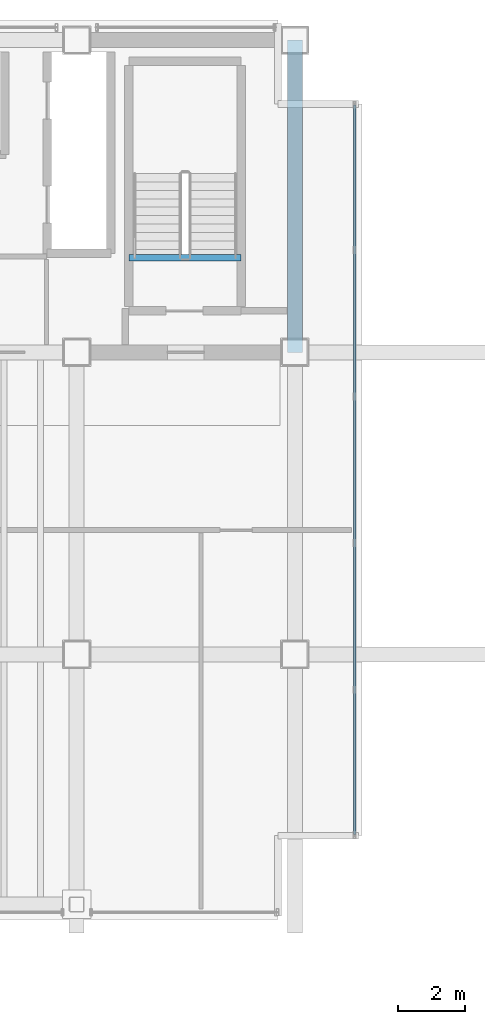
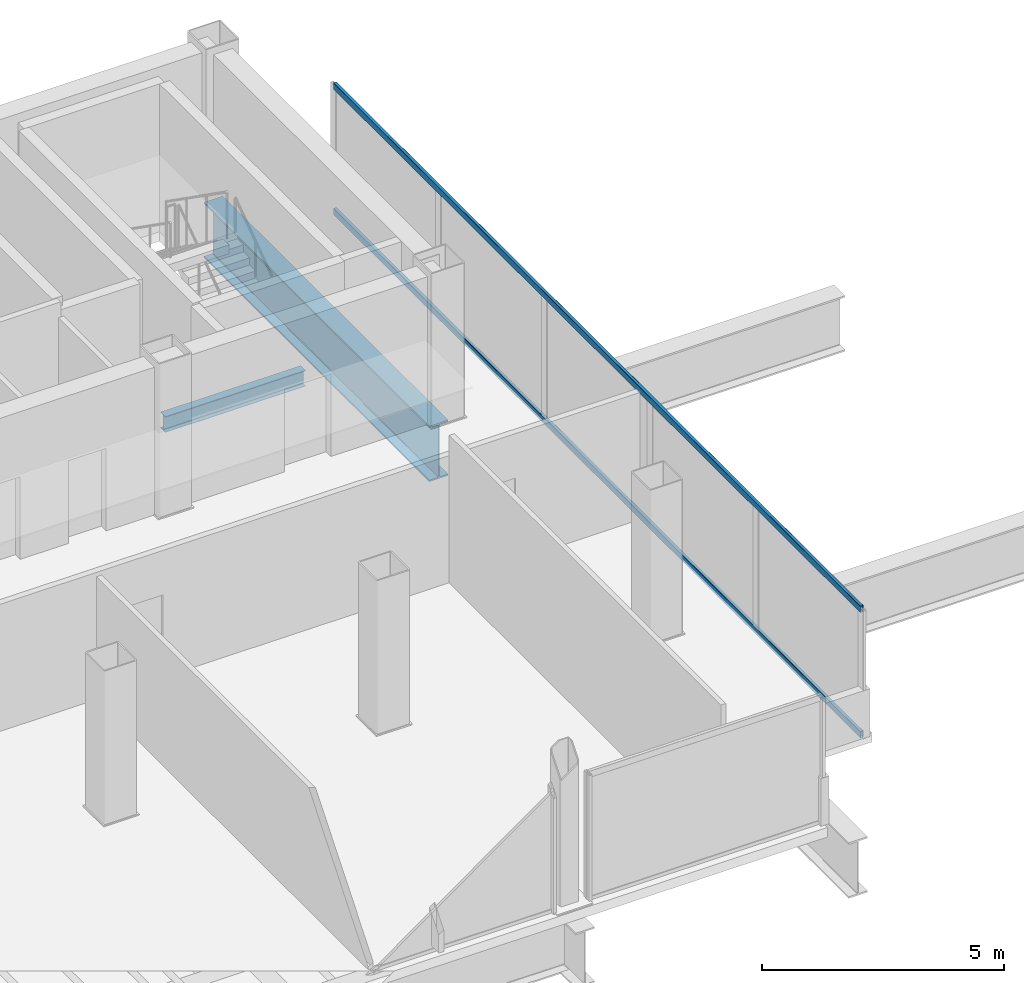
# One storey, part 16 of 22: 2 beams, 2 members, 1 element without a shape of its own.
"""IFC4 building model written with IfcOpenShell, lengths in metres."""

from ifc_helpers import new_model, si_unit, direction, frame, origin, origin_2d, place, context, subcontext, project, spatial, hollow_rectangle, i_section, extrude, material, material_profile, profile_set, type_object, element, aggregate, save


model = new_model("IFC4")

# Units and contexts
model_context = context("Model", 3, precision=1e-05, world=origin(), true_north=direction((0.0, 1.0)))
body_context = subcontext(model_context, "Body", "Model", "MODEL_VIEW")
ifc_project = project(units=[si_unit("LENGTHUNIT", "METRE"), si_unit("AREAUNIT", "SQUARE_METRE"), si_unit("VOLUMEUNIT", "CUBIC_METRE"), si_unit("PLANEANGLEUNIT", "RADIAN"), si_unit("MASSUNIT", "GRAM", prefix="KILO")], contexts=[model_context])

# Site, building, storey
site_placement = place(None, origin())
site = spatial("IfcSite", under=ifc_project, at=site_placement, CompositionType="ELEMENT")
building_placement = place(site_placement, origin())
building = spatial("IfcBuilding", under=site, at=building_placement, Name="Noeulbin Bourse Tower", CompositionType="ELEMENT")
storey_placement = place(building_placement, frame((0.0, 0.0, 230.60009765625)))
storey = spatial("IfcBuildingStorey", under=building, at=storey_placement, Name="L57", CompositionType="ELEMENT", Elevation=230.60009765625)

# Beams
ifc_material_1 = material(Name="Steel S355", Category="steel")
ifc_material_profile_1 = material_profile(ifc_material_1, i_section(OverallWidth=0.199951171875, OverallDepth=0.39990234375, WebThickness=0.008056640625, FlangeThickness=0.012939453125, FilletRadius=0.01611328125, at=origin_2d()), Name="H-400x200x8x13", Category="LoadBearing")
ifc_profile_set_1 = profile_set([ifc_material_profile_1], Name="Steel S355")
beam_type_1 = type_object("IfcBeamType", Name="BM-SEC-400", PredefinedType="BEAM", material=ifc_profile_set_1)
beam_1_placement = place(storey_placement, frame((39.06005859375, 31.820068359375, -0.2001953125), z_axis=(1.0, 0.0, 0.0), x_axis=(0.0, 1.0, 0.0)))
element("IfcBeam", 1, at=beam_1_placement, inside=storey, type_object=beam_type_1, Name="Stair Threshold Trimmer Beam ST2-L57", PredefinedType="BEAM", context=body_context, shape_type="SweptSolid", body=[
    extrude(i_section(OverallWidth=0.199951171875, OverallDepth=0.39990234375, WebThickness=0.008056640625, FlangeThickness=0.012939453125, FilletRadius=0.01611328125, at=origin_2d()), origin(), (0.0, 0.0, 1.0), 3.33984375),
])
ifc_material_2 = material(Name="Steel S460", Category="steel")
ifc_material_profile_2 = material_profile(ifc_material_2, i_section(OverallWidth=0.449951171875, OverallDepth=1.39990234375, WebThickness=0.02392578125, FlangeThickness=0.0400390625, FilletRadius=0.02392578125, at=origin_2d()), Name="PG-1400x450x24x40", Category="LoadBearing")
ifc_profile_set_2 = profile_set([ifc_material_profile_2], Name="Steel S460")
beam_type_2 = type_object("IfcBeamType", Name="BM-TRF-1400", PredefinedType="USERDEFINED", material=ifc_profile_set_2)
beam_2_placement = place(storey_placement, frame((44.0, 29.0, -0.940185546875), z_axis=(0.0, 1.0, 0.0), x_axis=(-1.0, 0.0, 0.0)))
element("IfcBeam", 2, at=beam_2_placement, inside=storey, type_object=beam_type_2, Name="Tower Primary Girder NS L57-5.3", ObjectType="GIRDER", PredefinedType="USERDEFINED", context=body_context, shape_type="SweptSolid", body=[
    extrude(i_section(OverallWidth=0.449951171875, OverallDepth=1.39990234375, WebThickness=0.02392578125, FlangeThickness=0.0400390625, FilletRadius=0.02392578125, at=origin_2d()), origin(), (0.0, 0.0, 1.0), 9.300048828125),
])

# Curtain wall, members
ifc_material_3 = material(Name="High-Selectivity Low-Iron Glazing", Category="glass")
curtain_wall_type = type_object("IfcCurtainWallType", Name="CW-SYS-4", PredefinedType="NOTDEFINED", material=ifc_material_3)
curtain_wall_placement = place(storey_placement, origin())
curtain_wall = element("IfcCurtainWall", 3, at=curtain_wall_placement, inside=storey, type_object=curtain_wall_type, Name="Unitised Curtain Wall CW-L57-E", PredefinedType="NOTDEFINED")
ifc_material_4 = material(Name="Anodised Aluminium 6063-T6", Category="aluminium")
ifc_material_profile_3 = material_profile(ifc_material_4, hollow_rectangle(XDim=0.074951171875, YDim=0.159912109375, WallThickness=0.0048828125, InnerFilletRadius=0.00244140625, OuterFilletRadius=0.0048828125, at=origin_2d()), Name="ALU-TRAN-75x160x5", Category="LoadBearing")
ifc_profile_set_3 = profile_set([ifc_material_profile_3], Name="Anodised Aluminium 6063-T6")
member_type = type_object("IfcMemberType", Name="CW-SYS-4-TRN", PredefinedType="USERDEFINED", material=ifc_profile_set_3)
member_1_placement = place(storey_placement, frame((45.780029296875, 14.6298828125, 0.010009765625), z_axis=(0.0, 1.0, 0.0), x_axis=(-1.0, 0.0, 0.0)))
member_1 = element("IfcMember", 4, at=member_1_placement, type_object=member_type, Name="Curtain Wall Transom CW-L57-E-T00", ObjectType="TRANSOM", PredefinedType="USERDEFINED", context=body_context, shape_type="SweptSolid", body=[
    extrude(hollow_rectangle(XDim=0.074951171875, YDim=0.159912109375, WallThickness=0.0048828125, InnerFilletRadius=0.00244140625, OuterFilletRadius=0.0048828125, at=origin_2d()), origin(), (0.0, 0.0, 1.0), 21.740234375),
])
member_2_placement = place(storey_placement, frame((45.780029296875, 14.6298828125, 3.169921875), z_axis=(0.0, 1.0, 0.0), x_axis=(-1.0, 0.0, 0.0)))
member_2 = element("IfcMember", 5, at=member_2_placement, type_object=member_type, Name="Curtain Wall Transom CW-L57-E-T01", ObjectType="TRANSOM", PredefinedType="USERDEFINED", context=body_context, shape_type="SweptSolid", body=[
    extrude(hollow_rectangle(XDim=0.074951171875, YDim=0.159912109375, WallThickness=0.0048828125, InnerFilletRadius=0.00244140625, OuterFilletRadius=0.0048828125, at=origin_2d()), origin(), (0.0, 0.0, 1.0), 21.740234375),
])
aggregate(curtain_wall, [member_1, member_2])

save(model, "model.ifc")
